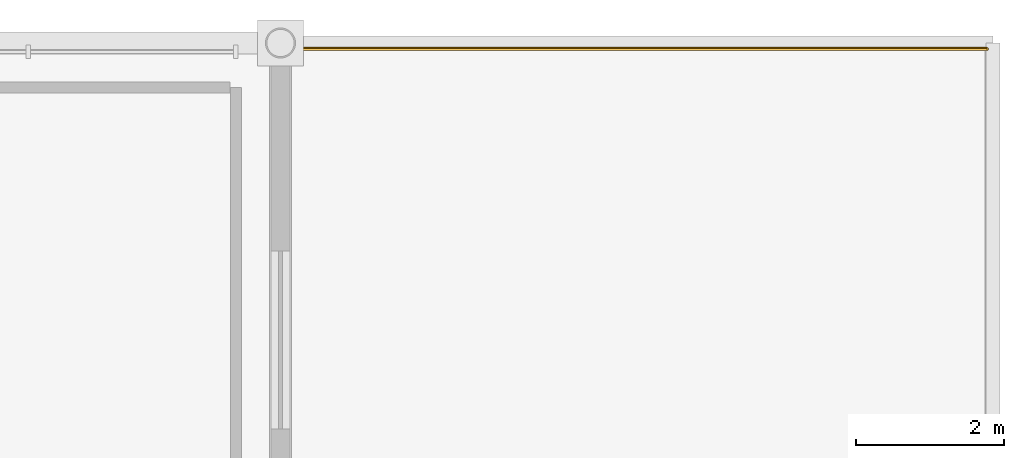
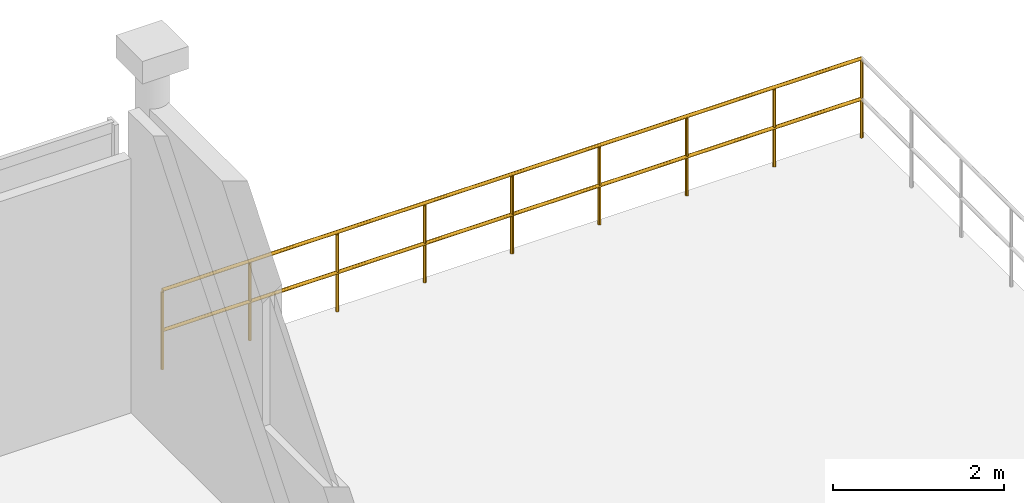
# One storey, part 26 of 26: 1 railing.
"""IFC4 building model written with IfcOpenShell, lengths in metres."""

from ifc_helpers import new_model, si_unit, direction, frame, origin, origin_2d, place, context, subcontext, project, spatial, circle, extrude, material, type_object, element, save


model = new_model("IFC4")

# Units and contexts
model_context = context("Model", 3, precision=1e-05, world=origin(), true_north=direction((0.0, 1.0)))
body_context = subcontext(model_context, "Body", "Model", "MODEL_VIEW")
ifc_project = project(units=[si_unit("LENGTHUNIT", "METRE"), si_unit("AREAUNIT", "SQUARE_METRE"), si_unit("VOLUMEUNIT", "CUBIC_METRE"), si_unit("PLANEANGLEUNIT", "RADIAN"), si_unit("MASSUNIT", "GRAM", prefix="KILO")], contexts=[model_context])

# Site, building, storey
site_placement = place(None, origin())
site = spatial("IfcSite", under=ifc_project, at=site_placement, CompositionType="ELEMENT")
building_placement = place(site_placement, origin())
building = spatial("IfcBuilding", under=site, at=building_placement, Name="Danafjord Basin Convention Centre", CompositionType="ELEMENT")
storey_placement = place(building_placement, frame((0.0, 0.0, 24.89990234375)))
storey = spatial("IfcBuildingStorey", under=building, at=storey_placement, Name="L05", CompositionType="ELEMENT", Elevation=24.89990234375)

# Railing
ifc_material = material(Name="Laminated structural glass and stainless steel", Category="steel")
railing_type = type_object("IfcRailingType", Name="RL-BAL-GLS", PredefinedType="BALUSTRADE", material=ifc_material)
railing_placement = place(storey_placement, frame((96.090087890625, 39.919921875, 0.0)))
element("IfcRailing", 1, at=railing_placement, inside=storey, type_object=railing_type, Name="L05 safety guard balustrade 317", PredefinedType="BALUSTRADE", context=body_context, shape_type="SweptSolid", body=[
    extrude(circle(Radius=0.02392578125, at=origin_2d()), frame((0.0, 0.0, 1.1259765625), z_axis=(1.0, 0.0, 0.0), x_axis=(0.0, 1.0, 0.0)), (0.0, 0.0, 1.0), 9.429931640625),
    extrude(circle(Radius=0.02392578125, at=origin_2d()), frame((0.0, 0.0, 0.55078125), z_axis=(1.0, 0.0, 0.0), x_axis=(0.0, 1.0, 0.0)), (0.0, 0.0, 1.0), 9.429931640625),
    extrude(circle(Radius=0.02099609375, at=origin_2d()), origin(), (0.0, 0.0, 1.0), 1.099853515625),
    extrude(circle(Radius=0.02099609375, at=origin_2d()), frame((1.1787109375, 0.0, 0.0)), (0.0, 0.0, 1.0), 1.099853515625),
    extrude(circle(Radius=0.02099609375, at=origin_2d()), frame((2.357421875, 0.0, 0.0)), (0.0, 0.0, 1.0), 1.099853515625),
    extrude(circle(Radius=0.02099609375, at=origin_2d()), frame((3.5361328125, 0.0, 0.0)), (0.0, 0.0, 1.0), 1.099853515625),
    extrude(circle(Radius=0.02099609375, at=origin_2d()), frame((4.71484375, 0.0, 0.0)), (0.0, 0.0, 1.0), 1.099853515625),
    extrude(circle(Radius=0.02099609375, at=origin_2d()), frame((5.893798828125, 0.0, 0.0)), (0.0, 0.0, 1.0), 1.099853515625),
    extrude(circle(Radius=0.02099609375, at=origin_2d()), frame((7.072509765625, 0.0, 0.0)), (0.0, 0.0, 1.0), 1.099853515625),
    extrude(circle(Radius=0.02099609375, at=origin_2d()), frame((8.251220703125, 0.0, 0.0)), (0.0, 0.0, 1.0), 1.099853515625),
    extrude(circle(Radius=0.02099609375, at=origin_2d()), frame((9.429931640625, 0.0, 0.0)), (0.0, 0.0, 1.0), 1.099853515625),
])

save(model, "model.ifc")
